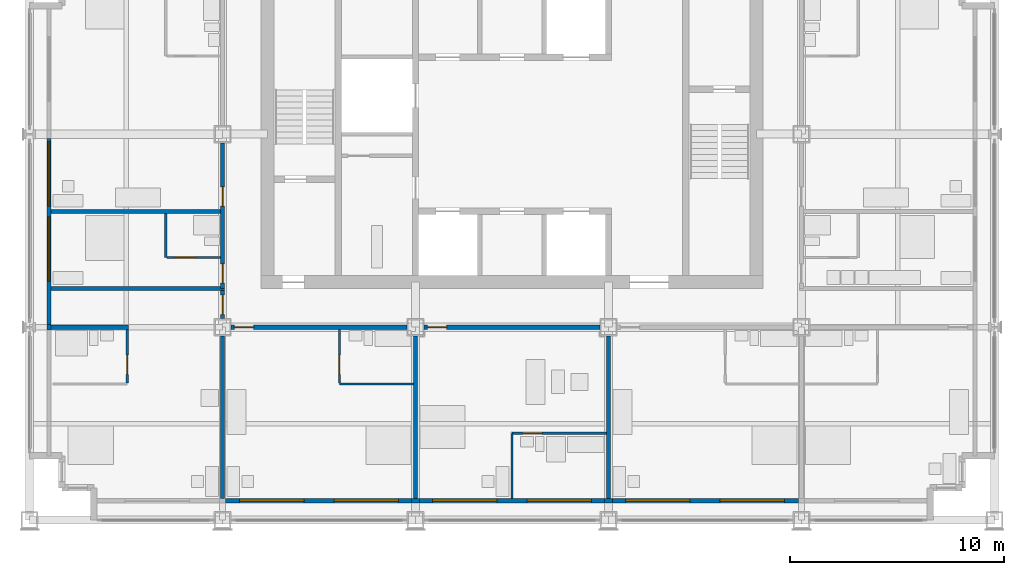
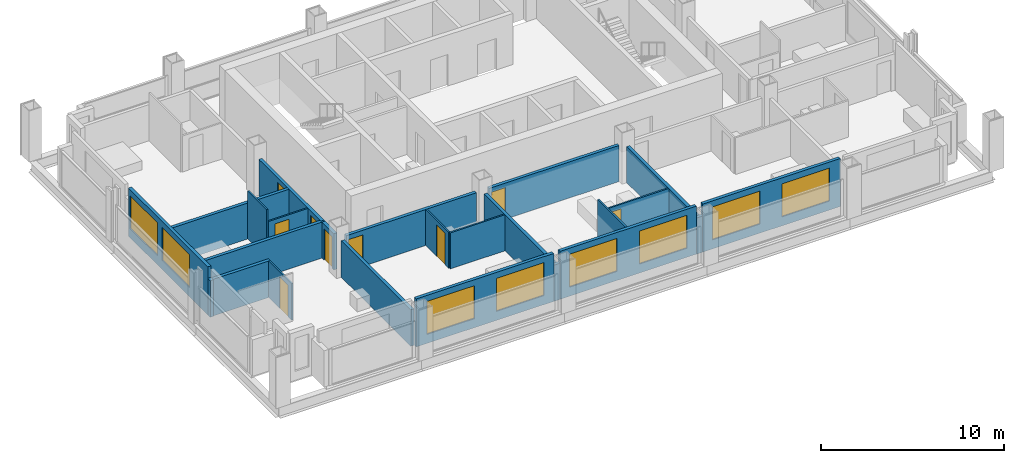
# One storey, part 7 of 13: 24 walls, 9 doors, 8 windows, 17 openings.
"""IFC4 building model written with IfcOpenShell, lengths in metres."""

from ifc_helpers import new_model, si_unit, direction, frame, frame_2d, origin, place, context, subcontext, project, spatial, rectangle, extrude, material, layer, layer_set, type_object, element, fill, save


model = new_model("IFC4")

# Units and contexts
model_context = context("Model", 3, precision=1e-05, world=origin(), true_north=direction((0.0, 1.0)))
body_context = subcontext(model_context, "Body", "Model", "MODEL_VIEW")
ifc_project = project(units=[si_unit("LENGTHUNIT", "METRE"), si_unit("AREAUNIT", "SQUARE_METRE"), si_unit("VOLUMEUNIT", "CUBIC_METRE"), si_unit("PLANEANGLEUNIT", "RADIAN"), si_unit("MASSUNIT", "GRAM", prefix="KILO")], contexts=[model_context])

# Site, building, storey
site_placement = place(None, origin())
site = spatial("IfcSite", under=ifc_project, at=site_placement, CompositionType="ELEMENT")
building_placement = place(site_placement, origin())
building = spatial("IfcBuilding", under=site, at=building_placement, Name="Loomwork Tower", CompositionType="ELEMENT")
storey_placement = place(building_placement, frame((0.0, 0.0, 180.800048828125)))
storey = spatial("IfcBuildingStorey", under=building, at=storey_placement, Name="L49", CompositionType="ELEMENT", Elevation=180.800048828125)

# Wall
ifc_material_1 = material(Name="Gypsum board on steel studs, one-hour", Category="steel")
ifc_layer_1 = layer(ifc_material_1, 0.199951171875)
ifc_layer_set_1 = layer_set([ifc_layer_1], Name="Corridor wall 200")
wall_type_1 = type_object("IfcWallType", Name="Corridor wall 200", PredefinedType="PARTITIONING", material=ifc_layer_set_1)
wall_1_placement = place(storey_placement, frame((1.0, 9.0, 0.0), z_axis=(0.0, 0.0, 1.0), x_axis=(1.0, 0.0, 0.0)))
element("IfcWall", 1, at=wall_1_placement, inside=storey, type_object=wall_type_1, Name="South corridor wall 1", PredefinedType="PARTITIONING", context=body_context, shape_type="SweptSolid", body=[
    extrude(rectangle(XDim=3.60009765625, YDim=0.199951171875, at=frame_2d((1.800048828125, 0.0))), origin(), (0.0, 0.0, 1.0), 2.43798828125),
])

# Wall, opening, door
wall_2_placement = place(storey_placement, frame((9.39990234375, 9.0, 0.0), z_axis=(0.0, 0.0, 1.0), x_axis=(1.0, 0.0, 0.0)))
wall_2 = element("IfcWall", 2, at=wall_2_placement, inside=storey, type_object=wall_type_1, Name="South corridor wall 2", PredefinedType="PARTITIONING", context=body_context, shape_type="SweptSolid", body=[
    extrude(rectangle(XDim=8.2001953125, YDim=0.199951171875, at=frame_2d((4.10009765625, 0.0))), origin(), (0.0, 0.0, 1.0), 2.405029296875),
])
opening_1_placement = place(wall_2_placement, frame((0.14990234375, 0.0, 0.0)))
opening_1 = element("IfcOpeningElement", 3, at=opening_1_placement, cuts=wall_2, Name="Opening D1", PredefinedType="OPENING", context=body_context, shape_type="SweptSolid", body=[
    extrude(rectangle(XDim=0.89990234375, YDim=2.10009765625, at=frame_2d((0.449951171875, 1.050048828125))), frame((0.0, 0.10986328125, 0.0), z_axis=(0.0, -1.0, 0.0), x_axis=(1.0, 0.0, 0.0)), (0.0, 0.0, 1.0), 0.219970703125),
])
ifc_material_2 = material(Name="Hollow metal door and frame")
door_type_1 = type_object("IfcDoorType", Name="Guest room entry door 900", OperationType="SINGLE_SWING_LEFT", PredefinedType="DOOR", material=ifc_material_2)
door_1_placement = place(opening_1_placement, frame((0.89990234375, 0.0, 0.0), z_axis=(0.0, 0.0, 1.0), x_axis=(-1.0, 0.0, 0.0)))
door_1 = element("IfcDoor", 4, at=door_1_placement, inside=storey, type_object=door_type_1, Name="Guest room entry door L49 2", OperationType="SINGLE_SWING_RIGHT", OverallHeight=2.10009765625, OverallWidth=0.89990234375, PredefinedType="DOOR", context=body_context, shape_type="SweptSolid", body=[
    extrude(rectangle(XDim=0.89990234375, YDim=2.10009765625, at=frame_2d((0.449951171875, 1.050048828125))), frame((0.0, 0.02490234375, 0.0), z_axis=(0.0, -1.0, 0.0), x_axis=(1.0, 0.0, 0.0)), (0.0, 0.0, 1.0), 0.050048828125),
])
fill(opening_1, door_1)

wall_3_placement = place(storey_placement, frame((18.39990234375, 9.0, 0.0), z_axis=(0.0, 0.0, 1.0), x_axis=(1.0, 0.0, 0.0)))
wall_3 = element("IfcWall", 5, at=wall_3_placement, inside=storey, type_object=wall_type_1, Name="South corridor wall 3", PredefinedType="PARTITIONING", context=body_context, shape_type="SweptSolid", body=[
    extrude(rectangle(XDim=8.2001953125, YDim=0.199951171875, at=frame_2d((4.10009765625, 0.0))), origin(), (0.0, 0.0, 1.0), 2.405029296875),
])
opening_2_placement = place(wall_3_placement, frame((0.14990234375, 0.0, 0.0)))
opening_2 = element("IfcOpeningElement", 6, at=opening_2_placement, cuts=wall_3, Name="Opening D1", PredefinedType="OPENING", context=body_context, shape_type="SweptSolid", body=[
    extrude(rectangle(XDim=0.89990234375, YDim=2.10009765625, at=frame_2d((0.449951171875, 1.050048828125))), frame((0.0, 0.10986328125, 0.0), z_axis=(0.0, -1.0, 0.0), x_axis=(1.0, 0.0, 0.0)), (0.0, 0.0, 1.0), 0.219970703125),
])
door_2_placement = place(opening_2_placement, frame((0.89990234375, 0.0, 0.0), z_axis=(0.0, 0.0, 1.0), x_axis=(-1.0, 0.0, 0.0)))
door_2 = element("IfcDoor", 7, at=door_2_placement, inside=storey, type_object=door_type_1, Name="Guest room entry door L49 3", OperationType="SINGLE_SWING_RIGHT", OverallHeight=2.10009765625, OverallWidth=0.89990234375, PredefinedType="DOOR", context=body_context, shape_type="SweptSolid", body=[
    extrude(rectangle(XDim=0.89990234375, YDim=2.10009765625, at=frame_2d((0.449951171875, 1.050048828125))), frame((0.0, 0.02490234375, 0.0), z_axis=(0.0, -1.0, 0.0), x_axis=(1.0, 0.0, 0.0)), (0.0, 0.0, 1.0), 0.050048828125),
])
fill(opening_2, door_2)

# Wall, openings, doors
wall_4_placement = place(storey_placement, frame((9.0, 10.800048828125, 0.0), z_axis=(0.0, 0.0, 1.0), x_axis=(0.0, 1.0, 0.0)))
wall_4 = element("IfcWall", 8, at=wall_4_placement, inside=storey, type_object=wall_type_1, Name="West corridor wall 1", PredefinedType="PARTITIONING", context=body_context, shape_type="SweptSolid", body=[
    extrude(rectangle(XDim=6.800048828125, YDim=0.199951171875, at=frame_2d((3.39990234375, 0.0))), origin(), (0.0, 0.0, 1.0), 2.405029296875),
])
opening_3_placement = place(wall_4_placement, frame((0.25, 0.0, 0.0)))
opening_3 = element("IfcOpeningElement", 9, at=opening_3_placement, cuts=wall_4, Name="Opening D1", PredefinedType="OPENING", context=body_context, shape_type="SweptSolid", body=[
    extrude(rectangle(XDim=0.89990234375, YDim=2.10009765625, at=frame_2d((0.449951171875, 1.050048828125))), frame((0.0, 0.10986328125, 0.0), z_axis=(0.0, -1.0, 0.0), x_axis=(1.0, 0.0, 0.0)), (0.0, 0.0, 1.0), 0.219970703125),
])
opening_4_placement = place(wall_4_placement, frame((3.85009765625, 0.0, 0.0)))
opening_4 = element("IfcOpeningElement", 10, at=opening_4_placement, cuts=wall_4, Name="Opening D1", PredefinedType="OPENING", context=body_context, shape_type="SweptSolid", body=[
    extrude(rectangle(XDim=0.89990234375, YDim=2.10009765625, at=frame_2d((0.449951171875, 1.050048828125))), frame((0.0, 0.10986328125, 0.0), z_axis=(0.0, -1.0, 0.0), x_axis=(1.0, 0.0, 0.0)), (0.0, 0.0, 1.0), 0.219970703125),
])
door_3_placement = place(opening_3_placement, origin())
door_3 = element("IfcDoor", 11, at=door_3_placement, inside=storey, type_object=door_type_1, Name="Guest room entry door L49 6", OperationType="SINGLE_SWING_LEFT", OverallHeight=2.10009765625, OverallWidth=0.89990234375, PredefinedType="DOOR", context=body_context, shape_type="SweptSolid", body=[
    extrude(rectangle(XDim=0.89990234375, YDim=2.10009765625, at=frame_2d((0.449951171875, 1.050048828125))), frame((0.0, 0.02490234375, 0.0), z_axis=(0.0, -1.0, 0.0), x_axis=(1.0, 0.0, 0.0)), (0.0, 0.0, 1.0), 0.050048828125),
])
fill(opening_3, door_3)
door_4_placement = place(opening_4_placement, origin())
door_4 = element("IfcDoor", 12, at=door_4_placement, inside=storey, type_object=door_type_1, Name="Guest room entry door L49 7", OperationType="SINGLE_SWING_LEFT", OverallHeight=2.10009765625, OverallWidth=0.89990234375, PredefinedType="DOOR", context=body_context, shape_type="SweptSolid", body=[
    extrude(rectangle(XDim=0.89990234375, YDim=2.10009765625, at=frame_2d((0.449951171875, 1.050048828125))), frame((0.0, 0.02490234375, 0.0), z_axis=(0.0, -1.0, 0.0), x_axis=(1.0, 0.0, 0.0)), (0.0, 0.0, 1.0), 0.050048828125),
])
fill(opening_4, door_4)

# Wall
wall_5_placement = place(storey_placement, frame((1.0, 10.800048828125, 0.0), z_axis=(0.0, 0.0, 1.0), x_axis=(1.0, 0.0, 0.0)))
element("IfcWall", 13, at=wall_5_placement, inside=storey, type_object=wall_type_1, Name="West band end wall S", PredefinedType="PARTITIONING", context=body_context, shape_type="SweptSolid", body=[
    extrude(rectangle(XDim=8.10009765625, YDim=0.199951171875, at=frame_2d((4.050048828125, 0.0))), origin(), (0.0, 0.0, 1.0), 2.404052734375),
])

# Wall, opening, door
wall_6_placement = place(storey_placement, frame((9.0, 9.39990234375, 0.0), z_axis=(0.0, 0.0, 1.0), x_axis=(0.0, 1.0, 0.0)))
wall_6 = element("IfcWall", 14, at=wall_6_placement, inside=storey, type_object=wall_type_1, Name="Corner suite foyer wall", PredefinedType="PARTITIONING", context=body_context, shape_type="SweptSolid", body=[
    extrude(rectangle(XDim=1.300048828125, YDim=0.199951171875, at=frame_2d((0.64990234375, 0.0))), origin(), (0.0, 0.0, 1.0), 2.405029296875),
])
opening_5_placement = place(wall_6_placement, frame((0.199951171875, 0.0, 0.0)))
opening_5 = element("IfcOpeningElement", 15, at=opening_5_placement, cuts=wall_6, Name="Opening D1", PredefinedType="OPENING", context=body_context, shape_type="SweptSolid", body=[
    extrude(rectangle(XDim=0.89990234375, YDim=2.10009765625, at=frame_2d((0.449951171875, 1.050048828125))), frame((0.0, 0.10986328125, 0.0), z_axis=(0.0, -1.0, 0.0), x_axis=(1.0, 0.0, 0.0)), (0.0, 0.0, 1.0), 0.219970703125),
])
door_5_placement = place(opening_5_placement, origin())
door_5 = element("IfcDoor", 16, at=door_5_placement, inside=storey, type_object=door_type_1, Name="Guest room entry door L49 1", OperationType="SINGLE_SWING_RIGHT", OverallHeight=2.10009765625, OverallWidth=0.89990234375, PredefinedType="DOOR", context=body_context, shape_type="SweptSolid", body=[
    extrude(rectangle(XDim=0.89990234375, YDim=2.10009765625, at=frame_2d((0.449951171875, 1.050048828125))), frame((0.0, 0.02490234375, 0.0), z_axis=(0.0, -1.0, 0.0), x_axis=(1.0, 0.0, 0.0)), (0.0, 0.0, 1.0), 0.050048828125),
])
fill(opening_5, door_5)

ifc_material_3 = material(Name="Cement board on steel studs", Category="steel")
ifc_layer_2 = layer(ifc_material_3, 0.10009765625)
ifc_layer_set_2 = layer_set([ifc_layer_2], Name="En-suite partition 100")
wall_type_2 = type_object("IfcWallType", Name="En-suite partition 100", PredefinedType="PARTITIONING", material=ifc_layer_set_2)
wall_7_placement = place(storey_placement, frame((4.550048828125, 8.89990234375, 0.0), z_axis=(0.0, 0.0, 1.0), x_axis=(0.0, -1.0, 0.0)))
wall_7 = element("IfcWall", 17, at=wall_7_placement, inside=storey, type_object=wall_type_2, Name="En-suite side wall L49 room 1", PredefinedType="PARTITIONING", context=body_context, shape_type="SweptSolid", body=[
    extrude(rectangle(XDim=2.5, YDim=0.10009765625, at=frame_2d((1.25, 0.0))), origin(), (0.0, 0.0, 1.0), 2.43798828125),
])
opening_6_placement = place(wall_7_placement, frame((1.199951171875, 0.0, 0.0)))
opening_6 = element("IfcOpeningElement", 18, at=opening_6_placement, cuts=wall_7, Name="Opening D3", PredefinedType="OPENING", context=body_context, shape_type="SweptSolid", body=[
    extrude(rectangle(XDim=0.89990234375, YDim=2.10009765625, at=frame_2d((0.449951171875, 1.050048828125))), frame((0.0, 0.06005859375, 0.0), z_axis=(0.0, -1.0, 0.0), x_axis=(1.0, 0.0, 0.0)), (0.0, 0.0, 1.0), 0.1201171875),
])
ifc_material_4 = material(Name="Hollow metal door and frame")
door_type_2 = type_object("IfcDoorType", Name="Accessible en-suite door 900", OperationType="SLIDING_TO_LEFT", PredefinedType="DOOR", material=ifc_material_4)
door_6_placement = place(opening_6_placement, origin())
door_6 = element("IfcDoor", 19, at=door_6_placement, inside=storey, type_object=door_type_2, Name="Accessible en-suite door room 1", OperationType="SLIDING_TO_LEFT", OverallHeight=2.10009765625, OverallWidth=0.89990234375, PredefinedType="DOOR", context=body_context, shape_type="SweptSolid", body=[
    extrude(rectangle(XDim=0.89990234375, YDim=2.10009765625, at=frame_2d((0.449951171875, 1.050048828125))), frame((0.0, 0.02490234375, 0.0), z_axis=(0.0, -1.0, 0.0), x_axis=(1.0, 0.0, 0.0)), (0.0, 0.0, 1.0), 0.050048828125),
])
fill(opening_6, door_6)

# Wall
wall_8_placement = place(storey_placement, frame((14.449951171875, 6.35009765625, 0.0), z_axis=(0.0, 0.0, 1.0), x_axis=(1.0, 0.0, 0.0)))
element("IfcWall", 20, at=wall_8_placement, inside=storey, type_object=wall_type_2, Name="En-suite wall L49 room 2", PredefinedType="PARTITIONING", context=body_context, shape_type="SweptSolid", body=[
    extrude(rectangle(XDim=3.449951171875, YDim=0.10009765625, at=frame_2d((1.72509765625, 0.0))), origin(), (0.0, 0.0, 1.0), 2.404052734375),
])

# Wall, opening, door
wall_9_placement = place(storey_placement, frame((14.449951171875, 8.89990234375, 0.0), z_axis=(0.0, 0.0, 1.0), x_axis=(0.0, -1.0, 0.0)))
wall_9 = element("IfcWall", 21, at=wall_9_placement, inside=storey, type_object=wall_type_2, Name="En-suite side wall L49 room 2", PredefinedType="PARTITIONING", context=body_context, shape_type="SweptSolid", body=[
    extrude(rectangle(XDim=2.5, YDim=0.10009765625, at=frame_2d((1.25, 0.0))), origin(), (0.0, 0.0, 1.0), 2.404052734375),
])
opening_7_placement = place(wall_9_placement, frame((1.199951171875, 0.0, 0.0)))
opening_7 = element("IfcOpeningElement", 22, at=opening_7_placement, cuts=wall_9, Name="Opening D2", PredefinedType="OPENING", context=body_context, shape_type="SweptSolid", body=[
    extrude(rectangle(XDim=0.89990234375, YDim=2.10009765625, at=frame_2d((0.449951171875, 1.050048828125))), frame((0.0, 0.06005859375, 0.0), z_axis=(0.0, -1.0, 0.0), x_axis=(1.0, 0.0, 0.0)), (0.0, 0.0, 1.0), 0.1201171875),
])
ifc_material_5 = material(Name="Hollow metal door and frame")
door_type_3 = type_object("IfcDoorType", Name="En-suite door 900", OperationType="SINGLE_SWING_LEFT", PredefinedType="DOOR", material=ifc_material_5)
door_7_placement = place(opening_7_placement, origin())
door_7 = element("IfcDoor", 23, at=door_7_placement, inside=storey, type_object=door_type_3, Name="En-suite door room 2", OperationType="SINGLE_SWING_RIGHT", OverallHeight=2.10009765625, OverallWidth=0.89990234375, PredefinedType="DOOR", context=body_context, shape_type="SweptSolid", body=[
    extrude(rectangle(XDim=0.89990234375, YDim=2.10009765625, at=frame_2d((0.449951171875, 1.050048828125))), frame((0.0, 0.02490234375, 0.0), z_axis=(0.0, -1.0, 0.0), x_axis=(1.0, 0.0, 0.0)), (0.0, 0.0, 1.0), 0.050048828125),
])
fill(opening_7, door_7)

wall_10_placement = place(storey_placement, frame((22.5, 4.050048828125, 0.0), z_axis=(0.0, 0.0, 1.0), x_axis=(1.0, 0.0, 0.0)))
wall_10 = element("IfcWall", 24, at=wall_10_placement, inside=storey, type_object=wall_type_2, Name="Spa bathroom wall L49 room 3", PredefinedType="PARTITIONING", context=body_context, shape_type="SweptSolid", body=[
    extrude(rectangle(XDim=4.39990234375, YDim=0.10009765625, at=frame_2d((2.199951171875, 0.0))), origin(), (0.0, 0.0, 1.0), 2.404052734375),
])
opening_8_placement = place(wall_10_placement, frame((0.5, 0.0, 0.0)))
opening_8 = element("IfcOpeningElement", 25, at=opening_8_placement, cuts=wall_10, Name="Opening D2", PredefinedType="OPENING", context=body_context, shape_type="SweptSolid", body=[
    extrude(rectangle(XDim=0.89990234375, YDim=2.10009765625, at=frame_2d((0.449951171875, 1.050048828125))), frame((0.0, 0.06005859375, 0.0), z_axis=(0.0, -1.0, 0.0), x_axis=(1.0, 0.0, 0.0)), (0.0, 0.0, 1.0), 0.1201171875),
])
door_8_placement = place(opening_8_placement, frame((0.89990234375, 0.0, 0.0), z_axis=(0.0, 0.0, 1.0), x_axis=(-1.0, 0.0, 0.0)))
door_8 = element("IfcDoor", 26, at=door_8_placement, inside=storey, type_object=door_type_3, Name="Spa bathroom door room 3", OperationType="SINGLE_SWING_RIGHT", OverallHeight=2.10009765625, OverallWidth=0.89990234375, PredefinedType="DOOR", context=body_context, shape_type="SweptSolid", body=[
    extrude(rectangle(XDim=0.89990234375, YDim=2.10009765625, at=frame_2d((0.449951171875, 1.050048828125))), frame((0.0, 0.02490234375, 0.0), z_axis=(0.0, -1.0, 0.0), x_axis=(1.0, 0.0, 0.0)), (0.0, 0.0, 1.0), 0.050048828125),
])
fill(opening_8, door_8)

# Walls
wall_11_placement = place(storey_placement, frame((22.5, 4.050048828125, 0.0), z_axis=(0.0, 0.0, 1.0), x_axis=(0.0, -1.0, 0.0)))
element("IfcWall", 27, at=wall_11_placement, inside=storey, type_object=wall_type_2, Name="Spa bathroom side wall L49 room 3", PredefinedType="PARTITIONING", context=body_context, shape_type="SweptSolid", body=[
    extrude(rectangle(XDim=3.050048828125, YDim=0.10009765625, at=frame_2d((1.52490234375, 0.0))), origin(), (0.0, 0.0, 1.0), 3.199951171875),
])
wall_12_placement = place(storey_placement, frame((6.35009765625, 12.25, 0.0), z_axis=(0.0, 0.0, 1.0), x_axis=(0.0, 1.0, 0.0)))
element("IfcWall", 28, at=wall_12_placement, inside=storey, type_object=wall_type_2, Name="En-suite wall L49 room 6", PredefinedType="PARTITIONING", context=body_context, shape_type="SweptSolid", body=[
    extrude(rectangle(XDim=2.050048828125, YDim=0.10009765625, at=frame_2d((1.02490234375, 0.0))), origin(), (0.0, 0.0, 1.0), 3.199951171875),
])

# Wall, opening, door
wall_13_placement = place(storey_placement, frame((8.89990234375, 12.25, 0.0), z_axis=(0.0, 0.0, 1.0), x_axis=(-1.0, 0.0, 0.0)))
wall_13 = element("IfcWall", 29, at=wall_13_placement, inside=storey, type_object=wall_type_2, Name="En-suite side wall L49 room 6", PredefinedType="PARTITIONING", context=body_context, shape_type="SweptSolid", body=[
    extrude(rectangle(XDim=2.5, YDim=0.10009765625, at=frame_2d((1.25, 0.0))), origin(), (0.0, 0.0, 1.0), 2.404052734375),
])
opening_9_placement = place(wall_13_placement, frame((1.199951171875, 0.0, 0.0)))
opening_9 = element("IfcOpeningElement", 30, at=opening_9_placement, cuts=wall_13, Name="Opening D2", PredefinedType="OPENING", context=body_context, shape_type="SweptSolid", body=[
    extrude(rectangle(XDim=0.89990234375, YDim=2.10009765625, at=frame_2d((0.449951171875, 1.050048828125))), frame((0.0, 0.06005859375, 0.0), z_axis=(0.0, -1.0, 0.0), x_axis=(1.0, 0.0, 0.0)), (0.0, 0.0, 1.0), 0.1201171875),
])
door_9_placement = place(opening_9_placement, frame((0.89990234375, 0.0, 0.0), z_axis=(0.0, 0.0, 1.0), x_axis=(-1.0, 0.0, 0.0)))
door_9 = element("IfcDoor", 31, at=door_9_placement, inside=storey, type_object=door_type_3, Name="En-suite door room 6", OperationType="SINGLE_SWING_LEFT", OverallHeight=2.10009765625, OverallWidth=0.89990234375, PredefinedType="DOOR", context=body_context, shape_type="SweptSolid", body=[
    extrude(rectangle(XDim=0.89990234375, YDim=2.10009765625, at=frame_2d((0.449951171875, 1.050048828125))), frame((0.0, 0.02490234375, 0.0), z_axis=(0.0, -1.0, 0.0), x_axis=(1.0, 0.0, 0.0)), (0.0, 0.0, 1.0), 0.050048828125),
])
fill(opening_9, door_9)

# Walls
ifc_material_6 = material(Name="Gypsum board on steel studs, acoustic", Category="steel")
ifc_layer_3 = layer(ifc_material_6, 0.199951171875)
ifc_layer_set_3 = layer_set([ifc_layer_3], Name="Guest room party wall 200")
wall_type_3 = type_object("IfcWallType", Name="Guest room party wall 200", PredefinedType="PARTITIONING", material=ifc_layer_set_3)
wall_14_placement = place(storey_placement, frame((9.0, 8.60009765625, 0.0), z_axis=(0.0, 0.0, 1.0), x_axis=(0.0, -1.0, 0.0)))
element("IfcWall", 32, at=wall_14_placement, inside=storey, type_object=wall_type_3, Name="Guest room party wall S 9", PredefinedType="PARTITIONING", context=body_context, shape_type="SweptSolid", body=[
    extrude(rectangle(XDim=7.60009765625, YDim=0.199951171875, at=frame_2d((3.800048828125, 0.0))), origin(), (0.0, 0.0, 1.0), 2.43798828125),
])
for number, where, z_axis, x_axis, name in (
    (33, (18.0, 8.60009765625, 0.0), (0.0, 0.0, 1.0), (0.0, -1.0, 0.0), "Guest room party wall S 18"),
    (34, (27.0, 8.60009765625, 0.0), (0.0, 0.0, 1.0), (0.0, -1.0, 0.0), "Guest room party wall S 27"),
):
    element("IfcWall", number, at=place(storey_placement, frame(where, z_axis=z_axis, x_axis=x_axis)), inside=storey, type_object=wall_type_3, Name=name, PredefinedType="PARTITIONING", context=body_context, shape_type="SweptSolid", body=[
        extrude(rectangle(XDim=7.60009765625, YDim=0.199951171875, at=frame_2d((3.800048828125, 0.0))), origin(), (0.0, 0.0, 1.0), 2.405029296875),
    ])
wall_15_placement = place(storey_placement, frame((8.89990234375, 14.39990234375, 0.0), z_axis=(0.0, 0.0, 1.0), x_axis=(-1.0, 0.0, 0.0)))
element("IfcWall", 35, at=wall_15_placement, inside=storey, type_object=wall_type_3, Name="Guest room party wall W 14.4", PredefinedType="PARTITIONING", context=body_context, shape_type="SweptSolid", body=[
    extrude(rectangle(XDim=7.89990234375, YDim=0.199951171875, at=frame_2d((3.949951171875, 0.0))), origin(), (0.0, 0.0, 1.0), 2.404052734375),
])

# Wall, openings, windows
ifc_material_7 = material(Name="Insulated steel stud wall with gypsum lining", Category="steel")
ifc_layer_4 = layer(ifc_material_7, 0.199951171875)
ifc_layer_set_4 = layer_set([ifc_layer_4], Name="Inner skin wall 200")
wall_type_4 = type_object("IfcWallType", Name="Inner skin wall 200", PredefinedType="SOLIDWALL", material=ifc_layer_set_4)
wall_16_placement = place(storey_placement, frame((9.13525390625, 0.89990234375, 0.0), z_axis=(0.0, 0.0, 1.0), x_axis=(1.0, 0.0, 0.0)))
wall_16 = element("IfcWall", 36, at=wall_16_placement, inside=storey, type_object=wall_type_4, Name="Inner skin wall S bay 3", PredefinedType="SOLIDWALL", context=body_context, shape_type="SweptSolid", body=[
    extrude(rectangle(XDim=8.6708984375, YDim=0.199951171875, at=frame_2d((4.33544921875, 0.0))), origin(), (0.0, 0.0, 1.0), 3.199951171875),
])
opening_10_placement = place(wall_16_placement, frame((0.664794921875, 0.0, 0.60009765625)))
opening_10 = element("IfcOpeningElement", 37, at=opening_10_placement, cuts=wall_16, Name="Opening CH1", PredefinedType="OPENING", context=body_context, shape_type="SweptSolid", body=[
    extrude(rectangle(XDim=3.0, YDim=2.199951171875, at=frame_2d((1.5, 1.10009765625))), frame((0.0, 0.10986328125, 0.0), z_axis=(0.0, -1.0, 0.0), x_axis=(1.0, 0.0, 0.0)), (0.0, 0.0, 1.0), 0.219970703125),
])
opening_11_placement = place(wall_16_placement, frame((5.064697265625, 0.0, 0.60009765625)))
opening_11 = element("IfcOpeningElement", 38, at=opening_11_placement, cuts=wall_16, Name="Opening CH1", PredefinedType="OPENING", context=body_context, shape_type="SweptSolid", body=[
    extrude(rectangle(XDim=3.0, YDim=2.199951171875, at=frame_2d((1.5, 1.10009765625))), frame((0.0, 0.10986328125, 0.0), z_axis=(0.0, -1.0, 0.0), x_axis=(1.0, 0.0, 0.0)), (0.0, 0.0, 1.0), 0.219970703125),
])
ifc_material_8 = material(Name="Aluminium frame with clear insulated glass", Category="aluminium")
window_type = type_object("IfcWindowType", Name="Chicago window 3000", PartitioningType="TRIPLE_PANEL_VERTICAL", PredefinedType="WINDOW", material=ifc_material_8)
window_1_placement = place(opening_10_placement, origin())
window_1 = element("IfcWindow", 39, at=window_1_placement, inside=storey, type_object=window_type, Name="Chicago window L49 bay 2", OverallHeight=2.199951171875, OverallWidth=3.0, PartitioningType="TRIPLE_PANEL_VERTICAL", PredefinedType="WINDOW", context=body_context, shape_type="SweptSolid", body=[
    extrude(rectangle(XDim=3.0, YDim=2.199951171875, at=frame_2d((1.5, 1.10009765625))), frame((0.0, 0.030029296875, 0.0), z_axis=(0.0, -1.0, 0.0), x_axis=(1.0, 0.0, 0.0)), (0.0, 0.0, 1.0), 0.06005859375),
])
fill(opening_10, window_1)
window_2_placement = place(opening_11_placement, origin())
window_2 = element("IfcWindow", 40, at=window_2_placement, inside=storey, type_object=window_type, Name="Chicago window L49 bay 2", OverallHeight=2.199951171875, OverallWidth=3.0, PartitioningType="TRIPLE_PANEL_VERTICAL", PredefinedType="WINDOW", context=body_context, shape_type="SweptSolid", body=[
    extrude(rectangle(XDim=3.0, YDim=2.199951171875, at=frame_2d((1.5, 1.10009765625))), frame((0.0, 0.030029296875, 0.0), z_axis=(0.0, -1.0, 0.0), x_axis=(1.0, 0.0, 0.0)), (0.0, 0.0, 1.0), 0.06005859375),
])
fill(opening_11, window_2)

# Wall
wall_17_placement = place(storey_placement, frame((17.80615234375, 0.89990234375, 0.0), z_axis=(0.0, 0.0, 1.0), x_axis=(1.0, 0.0, 0.0)))
element("IfcWall", 41, at=wall_17_placement, inside=storey, type_object=wall_type_4, Name="Inner skin wall S bay 4", PredefinedType="SOLIDWALL", context=body_context, shape_type="SweptSolid", body=[
    extrude(rectangle(XDim=0.3876953125, YDim=0.199951171875, at=frame_2d((0.19384765625, 0.0))), origin(), (0.0, 0.0, 1.0), 2.404052734375),
])

# Wall, openings, windows
wall_18_placement = place(storey_placement, frame((18.19384765625, 0.89990234375, 0.0), z_axis=(0.0, 0.0, 1.0), x_axis=(1.0, 0.0, 0.0)))
wall_18 = element("IfcWall", 42, at=wall_18_placement, inside=storey, type_object=wall_type_4, Name="Inner skin wall S bay 5", PredefinedType="SOLIDWALL", context=body_context, shape_type="SweptSolid", body=[
    extrude(rectangle(XDim=8.6123046875, YDim=0.199951171875, at=frame_2d((4.30615234375, 0.0))), origin(), (0.0, 0.0, 1.0), 3.199951171875),
])
opening_12_placement = place(wall_18_placement, frame((0.606201171875, 0.0, 0.60009765625)))
opening_12 = element("IfcOpeningElement", 43, at=opening_12_placement, cuts=wall_18, Name="Opening CH1", PredefinedType="OPENING", context=body_context, shape_type="SweptSolid", body=[
    extrude(rectangle(XDim=3.0, YDim=2.199951171875, at=frame_2d((1.5, 1.10009765625))), frame((0.0, 0.10986328125, 0.0), z_axis=(0.0, -1.0, 0.0), x_axis=(1.0, 0.0, 0.0)), (0.0, 0.0, 1.0), 0.219970703125),
])
opening_13_placement = place(wall_18_placement, frame((5.006103515625, 0.0, 0.60009765625)))
opening_13 = element("IfcOpeningElement", 44, at=opening_13_placement, cuts=wall_18, Name="Opening CH1", PredefinedType="OPENING", context=body_context, shape_type="SweptSolid", body=[
    extrude(rectangle(XDim=3.0, YDim=2.199951171875, at=frame_2d((1.5, 1.10009765625))), frame((0.0, 0.10986328125, 0.0), z_axis=(0.0, -1.0, 0.0), x_axis=(1.0, 0.0, 0.0)), (0.0, 0.0, 1.0), 0.219970703125),
])
window_3_placement = place(opening_12_placement, origin())
window_3 = element("IfcWindow", 45, at=window_3_placement, inside=storey, type_object=window_type, Name="Chicago window L49 bay 3", OverallHeight=2.199951171875, OverallWidth=3.0, PartitioningType="TRIPLE_PANEL_VERTICAL", PredefinedType="WINDOW", context=body_context, shape_type="SweptSolid", body=[
    extrude(rectangle(XDim=3.0, YDim=2.199951171875, at=frame_2d((1.5, 1.10009765625))), frame((0.0, 0.030029296875, 0.0), z_axis=(0.0, -1.0, 0.0), x_axis=(1.0, 0.0, 0.0)), (0.0, 0.0, 1.0), 0.06005859375),
])
fill(opening_12, window_3)
window_4_placement = place(opening_13_placement, origin())
window_4 = element("IfcWindow", 46, at=window_4_placement, inside=storey, type_object=window_type, Name="Chicago window L49 bay 3", OverallHeight=2.199951171875, OverallWidth=3.0, PartitioningType="TRIPLE_PANEL_VERTICAL", PredefinedType="WINDOW", context=body_context, shape_type="SweptSolid", body=[
    extrude(rectangle(XDim=3.0, YDim=2.199951171875, at=frame_2d((1.5, 1.10009765625))), frame((0.0, 0.030029296875, 0.0), z_axis=(0.0, -1.0, 0.0), x_axis=(1.0, 0.0, 0.0)), (0.0, 0.0, 1.0), 0.06005859375),
])
fill(opening_13, window_4)

# Wall
wall_19_placement = place(storey_placement, frame((26.80615234375, 0.89990234375, 0.0), z_axis=(0.0, 0.0, 1.0), x_axis=(1.0, 0.0, 0.0)))
element("IfcWall", 47, at=wall_19_placement, inside=storey, type_object=wall_type_4, Name="Inner skin wall S bay 6", PredefinedType="SOLIDWALL", context=body_context, shape_type="SweptSolid", body=[
    extrude(rectangle(XDim=0.3876953125, YDim=0.199951171875, at=frame_2d((0.19384765625, 0.0))), origin(), (0.0, 0.0, 1.0), 2.404052734375),
])

# Wall, openings, windows
wall_20_placement = place(storey_placement, frame((27.19384765625, 0.89990234375, 0.0), z_axis=(0.0, 0.0, 1.0), x_axis=(1.0, 0.0, 0.0)))
wall_20 = element("IfcWall", 48, at=wall_20_placement, inside=storey, type_object=wall_type_4, Name="Inner skin wall S bay 7", PredefinedType="SOLIDWALL", context=body_context, shape_type="SweptSolid", body=[
    extrude(rectangle(XDim=8.670654296875, YDim=0.199951171875, at=frame_2d((4.33544921875, 0.0))), origin(), (0.0, 0.0, 1.0), 3.199951171875),
])
opening_14_placement = place(wall_20_placement, frame((0.606201171875, 0.0, 0.60009765625)))
opening_14 = element("IfcOpeningElement", 49, at=opening_14_placement, cuts=wall_20, Name="Opening CH1", PredefinedType="OPENING", context=body_context, shape_type="SweptSolid", body=[
    extrude(rectangle(XDim=3.0, YDim=2.199951171875, at=frame_2d((1.5, 1.10009765625))), frame((0.0, 0.10986328125, 0.0), z_axis=(0.0, -1.0, 0.0), x_axis=(1.0, 0.0, 0.0)), (0.0, 0.0, 1.0), 0.219970703125),
])
opening_15_placement = place(wall_20_placement, frame((5.006103515625, 0.0, 0.60009765625)))
opening_15 = element("IfcOpeningElement", 50, at=opening_15_placement, cuts=wall_20, Name="Opening CH1", PredefinedType="OPENING", context=body_context, shape_type="SweptSolid", body=[
    extrude(rectangle(XDim=3.0, YDim=2.199951171875, at=frame_2d((1.5, 1.10009765625))), frame((0.0, 0.10986328125, 0.0), z_axis=(0.0, -1.0, 0.0), x_axis=(1.0, 0.0, 0.0)), (0.0, 0.0, 1.0), 0.219970703125),
])
window_5_placement = place(opening_14_placement, origin())
window_5 = element("IfcWindow", 51, at=window_5_placement, inside=storey, type_object=window_type, Name="Chicago window L49 bay 4", OverallHeight=2.199951171875, OverallWidth=3.0, PartitioningType="TRIPLE_PANEL_VERTICAL", PredefinedType="WINDOW", context=body_context, shape_type="SweptSolid", body=[
    extrude(rectangle(XDim=3.0, YDim=2.199951171875, at=frame_2d((1.5, 1.10009765625))), frame((0.0, 0.030029296875, 0.0), z_axis=(0.0, -1.0, 0.0), x_axis=(1.0, 0.0, 0.0)), (0.0, 0.0, 1.0), 0.06005859375),
])
fill(opening_14, window_5)
window_6_placement = place(opening_15_placement, origin())
window_6 = element("IfcWindow", 52, at=window_6_placement, inside=storey, type_object=window_type, Name="Chicago window L49 bay 4", OverallHeight=2.199951171875, OverallWidth=3.0, PartitioningType="TRIPLE_PANEL_VERTICAL", PredefinedType="WINDOW", context=body_context, shape_type="SweptSolid", body=[
    extrude(rectangle(XDim=3.0, YDim=2.199951171875, at=frame_2d((1.5, 1.10009765625))), frame((0.0, 0.030029296875, 0.0), z_axis=(0.0, -1.0, 0.0), x_axis=(1.0, 0.0, 0.0)), (0.0, 0.0, 1.0), 0.06005859375),
])
fill(opening_15, window_6)

# Wall
wall_21_placement = place(storey_placement, frame((0.89990234375, 8.86474609375, 0.0), z_axis=(0.0, 0.0, 1.0), x_axis=(0.0, 1.0, 0.0)))
element("IfcWall", 53, at=wall_21_placement, inside=storey, type_object=wall_type_4, Name="Inner skin wall W bay 4", PredefinedType="SOLIDWALL", context=body_context, shape_type="SweptSolid", body=[
    extrude(rectangle(XDim=0.2705078125, YDim=0.199951171875, at=frame_2d((0.13525390625, 0.0))), origin(), (0.0, 0.0, 1.0), 2.43798828125),
])

# Wall, openings, windows
wall_22_placement = place(storey_placement, frame((0.89990234375, 9.13525390625, 0.0), z_axis=(0.0, 0.0, 1.0), x_axis=(0.0, 1.0, 0.0)))
wall_22 = element("IfcWall", 54, at=wall_22_placement, inside=storey, type_object=wall_type_4, Name="Inner skin wall W bay 5", PredefinedType="SOLIDWALL", context=body_context, shape_type="SweptSolid", body=[
    extrude(rectangle(XDim=8.6708984375, YDim=0.199951171875, at=frame_2d((4.33544921875, 0.0))), origin(), (0.0, 0.0, 1.0), 3.199951171875),
])
opening_16_placement = place(wall_22_placement, frame((2.0146484375, 0.0, 0.60009765625)))
opening_16 = element("IfcOpeningElement", 55, at=opening_16_placement, cuts=wall_22, Name="Opening CH1", PredefinedType="OPENING", context=body_context, shape_type="SweptSolid", body=[
    extrude(rectangle(XDim=3.0, YDim=2.199951171875, at=frame_2d((1.5, 1.10009765625))), frame((0.0, 0.10986328125, 0.0), z_axis=(0.0, -1.0, 0.0), x_axis=(1.0, 0.0, 0.0)), (0.0, 0.0, 1.0), 0.219970703125),
])
opening_17_placement = place(wall_22_placement, frame((5.5146484375, 0.0, 0.60009765625)))
opening_17 = element("IfcOpeningElement", 56, at=opening_17_placement, cuts=wall_22, Name="Opening CH1", PredefinedType="OPENING", context=body_context, shape_type="SweptSolid", body=[
    extrude(rectangle(XDim=3.0, YDim=2.199951171875, at=frame_2d((1.5, 1.10009765625))), frame((0.0, 0.10986328125, 0.0), z_axis=(0.0, -1.0, 0.0), x_axis=(1.0, 0.0, 0.0)), (0.0, 0.0, 1.0), 0.219970703125),
])
window_7_placement = place(opening_16_placement, origin())
window_7 = element("IfcWindow", 57, at=window_7_placement, inside=storey, type_object=window_type, Name="Chicago window L49 bay 6", OverallHeight=2.199951171875, OverallWidth=3.0, PartitioningType="TRIPLE_PANEL_VERTICAL", PredefinedType="WINDOW", context=body_context, shape_type="SweptSolid", body=[
    extrude(rectangle(XDim=3.0, YDim=2.199951171875, at=frame_2d((1.5, 1.10009765625))), frame((0.0, 0.030029296875, 0.0), z_axis=(0.0, -1.0, 0.0), x_axis=(1.0, 0.0, 0.0)), (0.0, 0.0, 1.0), 0.06005859375),
])
fill(opening_16, window_7)
window_8_placement = place(opening_17_placement, origin())
window_8 = element("IfcWindow", 58, at=window_8_placement, inside=storey, type_object=window_type, Name="Chicago window L49 bay 6", OverallHeight=2.199951171875, OverallWidth=3.0, PartitioningType="TRIPLE_PANEL_VERTICAL", PredefinedType="WINDOW", context=body_context, shape_type="SweptSolid", body=[
    extrude(rectangle(XDim=3.0, YDim=2.199951171875, at=frame_2d((1.5, 1.10009765625))), frame((0.0, 0.030029296875, 0.0), z_axis=(0.0, -1.0, 0.0), x_axis=(1.0, 0.0, 0.0)), (0.0, 0.0, 1.0), 0.06005859375),
])
fill(opening_17, window_8)

save(model, "model.ifc")
